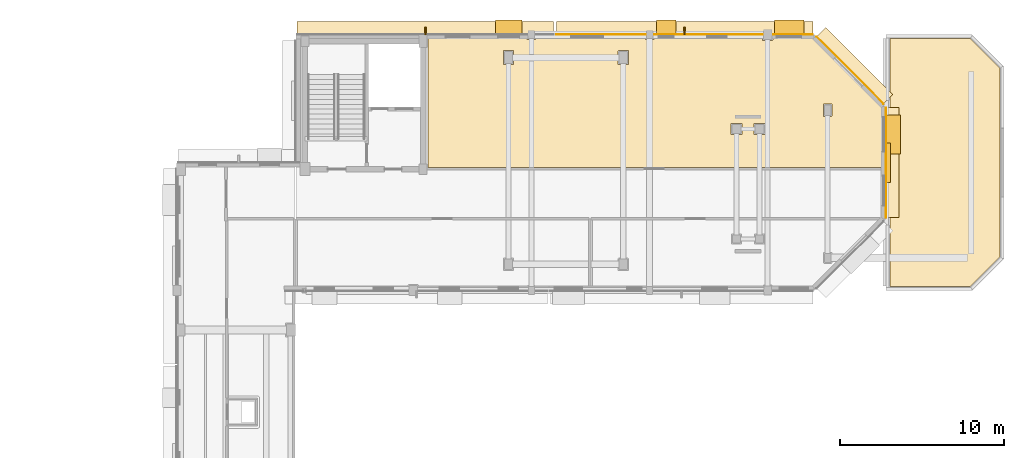
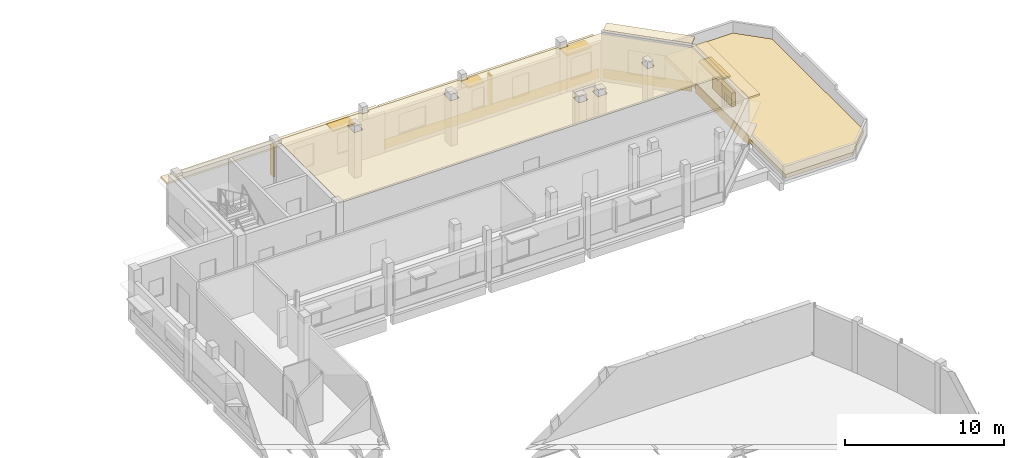
# One storey, part 105 of 105: 9 coverings, 7 shading devices.
"""IFC4 building model written with IfcOpenShell, lengths in metres."""

from ifc_helpers import new_model, si_unit, direction, frame, origin, origin_2d, place, context, subcontext, project, spatial, polyline, rectangle, outline, extrude, material, layer, layer_set, type_object, element, save


model = new_model("IFC4")

# Units and contexts
model_context = context("Model", 3, precision=1e-05, world=origin(), true_north=direction((0.0, 1.0)))
body_context = subcontext(model_context, "Body", "Model", "MODEL_VIEW")
ifc_project = project(units=[si_unit("LENGTHUNIT", "METRE"), si_unit("AREAUNIT", "SQUARE_METRE"), si_unit("VOLUMEUNIT", "CUBIC_METRE"), si_unit("PLANEANGLEUNIT", "RADIAN"), si_unit("MASSUNIT", "GRAM", prefix="KILO")], contexts=[model_context])

# Site, building, storey
site_placement = place(None, origin())
site = spatial("IfcSite", under=ifc_project, at=site_placement, CompositionType="ELEMENT")
building_placement = place(site_placement, origin())
building = spatial("IfcBuilding", under=site, at=building_placement, Name="Kelanivale Promenade Academy", CompositionType="ELEMENT")
storey_placement = place(building_placement, frame((0.0, 0.0, 4.199951171875)))
storey = spatial("IfcBuildingStorey", under=building, at=storey_placement, Name="L01", CompositionType="ELEMENT", Elevation=4.199951171875)

# Coverings
ifc_material_1 = material(Name="Warm ivory Art Deco stucco frieze band 40 mm", Category="masonry")
ifc_layer_1 = layer(ifc_material_1, 0.0400390625)
ifc_layer_set_1 = layer_set([ifc_layer_1], Name="Warm ivory Art Deco stucco frieze band 40 mm")
covering_type_1 = type_object("IfcCoveringType", Name="COV-CLD2 Warm ivory Art Deco stucco frieze ba", PredefinedType="CLADDING", material=ifc_layer_set_1)
covering_1_placement = place(storey_placement, frame((159.199951171875, 104.199951171875, 3.6201171875), z_axis=(0.0, 0.0, 1.0), x_axis=(0.0, 1.0, 0.0)))
element("IfcCovering", 1, at=covering_1_placement, inside=storey, type_object=covering_type_1, Name="Art Deco projecting 820 mm streamline sunshade eyebrow ledge", PredefinedType="CLADDING", context=body_context, shape_type="SweptSolid", body=[
    extrude(rectangle(XDim=6.701904296875, YDim=0.820068359375, at=origin_2d()), origin(), (0.0, 0.0, 1.0), 0.139892578125),
])
covering_2_placement = place(storey_placement, frame((158.81494140625, 104.199951171875, 0.06005859375), z_axis=(0.0, 0.0, 1.0), x_axis=(0.0, 1.0, 0.0)))
element("IfcCovering", 2, at=covering_2_placement, inside=storey, type_object=covering_type_1, Name="Art Deco ivory stucco sill frieze band", PredefinedType="CLADDING", context=body_context, shape_type="SweptSolid", body=[
    extrude(rectangle(XDim=6.701904296875, YDim=0.0400390625, at=origin_2d()), origin(), (0.0, 0.0, 1.0), 0.719970703125),
])
covering_3_placement = place(storey_placement, frame((156.89892578125, 110.09912109375, 3.6201171875), z_axis=(0.0, 0.0, 1.0), x_axis=(-0.707106781187, 0.707106781187, 0.0)))
element("IfcCovering", 3, at=covering_3_placement, inside=storey, type_object=covering_type_1, Name="Art Deco projecting 820 mm streamline sunshade eyebrow ledge", PredefinedType="CLADDING", context=body_context, shape_type="SweptSolid", body=[
    extrude(rectangle(XDim=5.77490234375, YDim=0.820068359375, at=origin_2d()), origin(), (0.0, 0.0, 1.0), 0.139892578125),
])
covering_4_placement = place(storey_placement, frame((156.626953125, 109.826904296875, 0.06005859375), z_axis=(0.0, 0.0, 1.0), x_axis=(-0.707106781187, 0.707106781187, 0.0)))
element("IfcCovering", 4, at=covering_4_placement, inside=storey, type_object=covering_type_1, Name="Art Deco ivory stucco sill frieze band", PredefinedType="CLADDING", context=body_context, shape_type="SweptSolid", body=[
    extrude(rectangle(XDim=5.77490234375, YDim=0.0400390625, at=origin_2d()), origin(), (0.0, 0.0, 1.0), 0.719970703125),
])
covering_5_placement = place(storey_placement, frame((146.535888671875, 112.39990234375, 2.80517578125), z_axis=(0.0, 0.0, 1.0), x_axis=(-1.0, 0.0, 0.0)))
element("IfcCovering", 5, at=covering_5_placement, inside=storey, type_object=covering_type_1, Name="Art Deco projecting 820 mm streamline sunshade eyebrow ledge", PredefinedType="CLADDING", context=body_context, shape_type="SweptSolid", body=[
    extrude(rectangle(XDim=15.6298828125, YDim=0.820068359375, at=origin_2d()), origin(), (0.0, 0.0, 1.0), 0.139892578125),
])
covering_6_placement = place(storey_placement, frame((146.535888671875, 112.014892578125, 0.06005859375), z_axis=(0.0, 0.0, 1.0), x_axis=(-1.0, 0.0, 0.0)))
element("IfcCovering", 6, at=covering_6_placement, inside=storey, type_object=covering_type_1, Name="Art Deco ivory stucco sill frieze band", PredefinedType="CLADDING", context=body_context, shape_type="SweptSolid", body=[
    extrude(rectangle(XDim=15.6298828125, YDim=0.0400390625, at=origin_2d()), origin(), (0.0, 0.0, 1.0), 0.719970703125),
])
covering_7_placement = place(storey_placement, frame((130.7451171875, 112.39990234375, 2.85498046875), z_axis=(0.0, 0.0, 1.0), x_axis=(-1.0, 0.0, 0.0)))
element("IfcCovering", 7, at=covering_7_placement, inside=storey, type_object=covering_type_1, Name="Art Deco projecting 820 mm streamline sunshade eyebrow ledge", PredefinedType="CLADDING", context=body_context, shape_type="SweptSolid", body=[
    extrude(rectangle(XDim=15.631103515625, YDim=0.820068359375, at=origin_2d()), origin(), (0.0, 0.0, 1.0), 0.139892578125),
])
ifc_material_2 = material(Name="Acoustic mineral-fibre ceiling tile 25 mm", Category="gypsum")
ifc_layer_2 = layer(ifc_material_2, 0.02490234375)
ifc_layer_set_2 = layer_set([ifc_layer_2], Name="Acoustic mineral-fibre ceiling tile 25 mm")
covering_type_2 = type_object("IfcCoveringType", Name="COV-CLG1 Acoustic mineral-fibre ceiling tile ", PredefinedType="CEILING", material=ifc_layer_set_2)
covering_8_placement = place(storey_placement, frame((0.0, 0.0, 3.550048828125)))
element("IfcCovering", 8, at=covering_8_placement, inside=storey, type_object=covering_type_2, Name="Biology Laboratory 1 acoustic suspended ceiling", PredefinedType="CEILING", context=body_context, shape_type="SweptSolid", body=[
    extrude(outline(polyline([(154.37109375, 111.85009765625), (151.909912109375, 111.85009765625), (151.909912109375, 111.679931640625), (151.909912109375, 111.676025390625), (151.908935546875, 111.672119140625), (151.907958984375, 111.66796875), (151.906982421875, 111.6650390625), (151.905029296875, 111.660888671875), (151.903076171875, 111.657958984375), (151.90087890625, 111.655029296875), (151.89794921875, 111.652099609375), (151.89501953125, 111.64892578125), (151.89208984375, 111.64697265625), (151.888916015625, 111.64501953125), (151.885009765625, 111.64306640625), (151.882080078125, 111.64208984375), (151.8779296875, 111.64111328125), (151.8740234375, 111.639892578125), (151.8701171875, 111.639892578125), (151.330078125, 111.639892578125), (151.325927734375, 111.639892578125), (151.322021484375, 111.64111328125), (151.318115234375, 111.64208984375), (151.31494140625, 111.64306640625), (151.31103515625, 111.64501953125), (151.30810546875, 111.64697265625), (151.304931640625, 111.64892578125), (151.302001953125, 111.652099609375), (151.299072265625, 111.655029296875), (151.297119140625, 111.657958984375), (151.294921875, 111.660888671875), (151.29296875, 111.6650390625), (151.2919921875, 111.66796875), (151.291015625, 111.672119140625), (151.2900390625, 111.676025390625), (151.2900390625, 111.679931640625), (151.2900390625, 111.85009765625), (144.659912109375, 111.85009765625), (144.659912109375, 111.72998046875), (144.659912109375, 111.72607421875), (144.658935546875, 111.721923828125), (144.657958984375, 111.718017578125), (144.656982421875, 111.715087890625), (144.655029296875, 111.7109375), (144.653076171875, 111.7080078125), (144.65087890625, 111.705078125), (144.64794921875, 111.701904296875), (144.64501953125, 111.698974609375), (144.64208984375, 111.697021484375), (144.638916015625, 111.695068359375), (144.635009765625, 111.693115234375), (144.632080078125, 111.69189453125), (144.6279296875, 111.69091796875), (144.6240234375, 111.68994140625), (144.6201171875, 111.68994140625), (144.179931640625, 111.68994140625), (144.176025390625, 111.68994140625), (144.172119140625, 111.69091796875), (144.16796875, 111.69189453125), (144.1650390625, 111.693115234375), (144.160888671875, 111.695068359375), (144.157958984375, 111.697021484375), (144.155029296875, 111.698974609375), (144.152099609375, 111.701904296875), (144.14892578125, 111.705078125), (144.14697265625, 111.7080078125), (144.14501953125, 111.7109375), (144.14306640625, 111.715087890625), (144.14208984375, 111.718017578125), (144.14111328125, 111.721923828125), (144.139892578125, 111.72607421875), (144.139892578125, 111.72998046875), (144.139892578125, 111.85009765625), (137.4599609375, 111.85009765625), (137.4599609375, 111.72998046875), (137.4599609375, 111.72607421875), (137.458984375, 111.721923828125), (137.4580078125, 111.718017578125), (137.45703125, 111.715087890625), (137.455078125, 111.7109375), (137.452880859375, 111.7080078125), (137.450927734375, 111.705078125), (137.447998046875, 111.701904296875), (137.445068359375, 111.698974609375), (137.44189453125, 111.697021484375), (137.43896484375, 111.695068359375), (137.43505859375, 111.693115234375), (137.431884765625, 111.69189453125), (137.427978515625, 111.69091796875), (137.424072265625, 111.68994140625), (137.419921875, 111.68994140625), (136.97998046875, 111.68994140625), (136.97607421875, 111.68994140625), (136.971923828125, 111.69091796875), (136.968017578125, 111.69189453125), (136.965087890625, 111.693115234375), (136.9609375, 111.695068359375), (136.9580078125, 111.697021484375), (136.955078125, 111.698974609375), (136.951904296875, 111.701904296875), (136.948974609375, 111.705078125), (136.947021484375, 111.7080078125), (136.945068359375, 111.7109375), (136.943115234375, 111.715087890625), (136.94189453125, 111.718017578125), (136.94091796875, 111.721923828125), (136.93994140625, 111.72607421875), (136.93994140625, 111.72998046875), (136.93994140625, 111.85009765625), (130.909912109375, 111.85009765625), (130.909912109375, 103.909912109375), (158.64990234375, 103.909912109375), (158.64990234375, 107.571044921875), (154.37109375, 111.85009765625)]), holes=[polyline([(155.469970703125, 107.784912109375), (155.47412109375, 107.784912109375), (155.47802734375, 107.783935546875), (155.48193359375, 107.782958984375), (155.485107421875, 107.781982421875), (155.489013671875, 107.780029296875), (155.491943359375, 107.778076171875), (155.4951171875, 107.77587890625), (155.498046875, 107.77294921875), (155.5009765625, 107.77001953125), (155.5029296875, 107.76708984375), (155.5048828125, 107.763916015625), (155.507080078125, 107.760009765625), (155.508056640625, 107.757080078125), (155.509033203125, 107.7529296875), (155.510009765625, 107.7490234375), (155.510009765625, 107.7451171875), (155.510009765625, 107.054931640625), (155.510009765625, 107.051025390625), (155.509033203125, 107.047119140625), (155.508056640625, 107.04296875), (155.507080078125, 107.0400390625), (155.5048828125, 107.035888671875), (155.5029296875, 107.032958984375), (155.5009765625, 107.030029296875), (155.498046875, 107.027099609375), (155.4951171875, 107.02392578125), (155.491943359375, 107.02197265625), (155.489013671875, 107.02001953125), (155.485107421875, 107.01806640625), (155.48193359375, 107.01708984375), (155.47802734375, 107.01611328125), (155.47412109375, 107.014892578125), (155.469970703125, 107.014892578125), (155.030029296875, 107.014892578125), (155.02587890625, 107.014892578125), (155.02197265625, 107.01611328125), (155.01806640625, 107.01708984375), (155.014892578125, 107.01806640625), (155.010986328125, 107.02001953125), (155.008056640625, 107.02197265625), (155.0048828125, 107.02392578125), (155.001953125, 107.027099609375), (154.9990234375, 107.030029296875), (154.9970703125, 107.032958984375), (154.9951171875, 107.035888671875), (154.992919921875, 107.0400390625), (154.991943359375, 107.04296875), (154.990966796875, 107.047119140625), (154.989990234375, 107.051025390625), (154.989990234375, 107.054931640625), (154.989990234375, 107.7451171875), (154.989990234375, 107.7490234375), (154.990966796875, 107.7529296875), (154.991943359375, 107.757080078125), (154.992919921875, 107.760009765625), (154.9951171875, 107.763916015625), (154.9970703125, 107.76708984375), (154.9990234375, 107.77001953125), (155.001953125, 107.77294921875), (155.0048828125, 107.77587890625), (155.008056640625, 107.778076171875), (155.010986328125, 107.780029296875), (155.014892578125, 107.781982421875), (155.01806640625, 107.782958984375), (155.02197265625, 107.783935546875), (155.02587890625, 107.784912109375), (155.030029296875, 107.784912109375), (155.469970703125, 107.784912109375)]), polyline([(151.43505859375, 105.955078125), (151.43505859375, 105.950927734375), (151.43408203125, 105.947021484375), (151.43310546875, 105.943115234375), (151.431884765625, 105.93994140625), (151.429931640625, 105.93603515625), (151.427978515625, 105.93310546875), (151.426025390625, 105.929931640625), (151.423095703125, 105.927001953125), (151.419921875, 105.924072265625), (151.4169921875, 105.922119140625), (151.4140625, 105.919921875), (151.409912109375, 105.91796875), (151.406982421875, 105.9169921875), (151.403076171875, 105.916015625), (151.39892578125, 105.9150390625), (151.39501953125, 105.9150390625), (150.804931640625, 105.9150390625), (150.801025390625, 105.9150390625), (150.797119140625, 105.916015625), (150.79296875, 105.9169921875), (150.7900390625, 105.91796875), (150.785888671875, 105.919921875), (150.782958984375, 105.922119140625), (150.780029296875, 105.924072265625), (150.777099609375, 105.927001953125), (150.77392578125, 105.929931640625), (150.77197265625, 105.93310546875), (150.77001953125, 105.93603515625), (150.76806640625, 105.93994140625), (150.76708984375, 105.943115234375), (150.76611328125, 105.947021484375), (150.764892578125, 105.950927734375), (150.764892578125, 105.955078125), (150.764892578125, 106.544921875), (150.764892578125, 106.549072265625), (150.76611328125, 106.552978515625), (150.76708984375, 106.556884765625), (150.76806640625, 106.56005859375), (150.77001953125, 106.56396484375), (150.77197265625, 106.56689453125), (150.77392578125, 106.570068359375), (150.777099609375, 106.572998046875), (150.780029296875, 106.575927734375), (150.782958984375, 106.577880859375), (150.785888671875, 106.580078125), (150.7900390625, 106.58203125), (150.79296875, 106.5830078125), (150.797119140625, 106.583984375), (150.801025390625, 106.5849609375), (150.804931640625, 106.5849609375), (151.39501953125, 106.5849609375), (151.39892578125, 106.5849609375), (151.403076171875, 106.583984375), (151.406982421875, 106.5830078125), (151.409912109375, 106.58203125), (151.4140625, 106.580078125), (151.4169921875, 106.577880859375), (151.419921875, 106.575927734375), (151.423095703125, 106.572998046875), (151.426025390625, 106.570068359375), (151.427978515625, 106.56689453125), (151.429931640625, 106.56396484375), (151.431884765625, 106.56005859375), (151.43310546875, 106.556884765625), (151.43408203125, 106.552978515625), (151.43505859375, 106.549072265625), (151.43505859375, 106.544921875), (151.43505859375, 105.955078125)]), polyline([(150.034912109375, 105.955078125), (150.034912109375, 105.950927734375), (150.033935546875, 105.947021484375), (150.032958984375, 105.943115234375), (150.031982421875, 105.93994140625), (150.030029296875, 105.93603515625), (150.028076171875, 105.93310546875), (150.02587890625, 105.929931640625), (150.02294921875, 105.927001953125), (150.02001953125, 105.924072265625), (150.01708984375, 105.922119140625), (150.013916015625, 105.919921875), (150.010009765625, 105.91796875), (150.007080078125, 105.9169921875), (150.0029296875, 105.916015625), (149.9990234375, 105.9150390625), (149.9951171875, 105.9150390625), (149.405029296875, 105.9150390625), (149.40087890625, 105.9150390625), (149.39697265625, 105.916015625), (149.39306640625, 105.9169921875), (149.389892578125, 105.91796875), (149.385986328125, 105.919921875), (149.383056640625, 105.922119140625), (149.3798828125, 105.924072265625), (149.376953125, 105.927001953125), (149.3740234375, 105.929931640625), (149.3720703125, 105.93310546875), (149.3701171875, 105.93603515625), (149.367919921875, 105.93994140625), (149.366943359375, 105.943115234375), (149.365966796875, 105.947021484375), (149.364990234375, 105.950927734375), (149.364990234375, 105.955078125), (149.364990234375, 106.544921875), (149.364990234375, 106.549072265625), (149.365966796875, 106.552978515625), (149.366943359375, 106.556884765625), (149.367919921875, 106.56005859375), (149.3701171875, 106.56396484375), (149.3720703125, 106.56689453125), (149.3740234375, 106.570068359375), (149.376953125, 106.572998046875), (149.3798828125, 106.575927734375), (149.383056640625, 106.577880859375), (149.385986328125, 106.580078125), (149.389892578125, 106.58203125), (149.39306640625, 106.5830078125), (149.39697265625, 106.583984375), (149.40087890625, 106.5849609375), (149.405029296875, 106.5849609375), (149.9951171875, 106.5849609375), (149.9990234375, 106.5849609375), (150.0029296875, 106.583984375), (150.007080078125, 106.5830078125), (150.010009765625, 106.58203125), (150.013916015625, 106.580078125), (150.01708984375, 106.577880859375), (150.02001953125, 106.575927734375), (150.02294921875, 106.572998046875), (150.02587890625, 106.570068359375), (150.028076171875, 106.56689453125), (150.030029296875, 106.56396484375), (150.031982421875, 106.56005859375), (150.032958984375, 106.556884765625), (150.033935546875, 106.552978515625), (150.034912109375, 106.549072265625), (150.034912109375, 106.544921875), (150.034912109375, 105.955078125)]), polyline([(143.110107421875, 110.205078125), (143.110107421875, 110.200927734375), (143.10888671875, 110.197021484375), (143.10791015625, 110.193115234375), (143.10693359375, 110.18994140625), (143.10498046875, 110.18603515625), (143.10302734375, 110.18310546875), (143.10107421875, 110.179931640625), (143.097900390625, 110.177001953125), (143.094970703125, 110.174072265625), (143.092041015625, 110.172119140625), (143.089111328125, 110.169921875), (143.0849609375, 110.16796875), (143.08203125, 110.1669921875), (143.077880859375, 110.166015625), (143.073974609375, 110.1650390625), (143.070068359375, 110.1650390625), (142.530029296875, 110.1650390625), (142.52587890625, 110.1650390625), (142.52197265625, 110.166015625), (142.51806640625, 110.1669921875), (142.514892578125, 110.16796875), (142.510986328125, 110.169921875), (142.508056640625, 110.172119140625), (142.5048828125, 110.174072265625), (142.501953125, 110.177001953125), (142.4990234375, 110.179931640625), (142.4970703125, 110.18310546875), (142.4951171875, 110.18603515625), (142.492919921875, 110.18994140625), (142.491943359375, 110.193115234375), (142.490966796875, 110.197021484375), (142.489990234375, 110.200927734375), (142.489990234375, 110.205078125), (142.489990234375, 110.9951171875), (142.489990234375, 110.9990234375), (142.490966796875, 111.0029296875), (142.491943359375, 111.007080078125), (142.492919921875, 111.010009765625), (142.4951171875, 111.013916015625), (142.4970703125, 111.01708984375), (142.4990234375, 111.02001953125), (142.501953125, 111.02294921875), (142.5048828125, 111.02587890625), (142.508056640625, 111.028076171875), (142.510986328125, 111.030029296875), (142.514892578125, 111.031982421875), (142.51806640625, 111.032958984375), (142.52197265625, 111.033935546875), (142.52587890625, 111.034912109375), (142.530029296875, 111.034912109375), (143.070068359375, 111.034912109375), (143.073974609375, 111.034912109375), (143.077880859375, 111.033935546875), (143.08203125, 111.032958984375), (143.0849609375, 111.031982421875), (143.089111328125, 111.030029296875), (143.092041015625, 111.028076171875), (143.094970703125, 111.02587890625), (143.097900390625, 111.02294921875), (143.10107421875, 111.02001953125), (143.10302734375, 111.01708984375), (143.10498046875, 111.013916015625), (143.10693359375, 111.010009765625), (143.10791015625, 111.007080078125), (143.10888671875, 111.0029296875), (143.110107421875, 110.9990234375), (143.110107421875, 110.9951171875), (143.110107421875, 110.205078125)]), polyline([(136.110107421875, 110.205078125), (136.110107421875, 110.200927734375), (136.10888671875, 110.197021484375), (136.10791015625, 110.193115234375), (136.10693359375, 110.18994140625), (136.10498046875, 110.18603515625), (136.10302734375, 110.18310546875), (136.10107421875, 110.179931640625), (136.097900390625, 110.177001953125), (136.094970703125, 110.174072265625), (136.092041015625, 110.172119140625), (136.089111328125, 110.169921875), (136.0849609375, 110.16796875), (136.08203125, 110.1669921875), (136.077880859375, 110.166015625), (136.073974609375, 110.1650390625), (136.070068359375, 110.1650390625), (135.530029296875, 110.1650390625), (135.52587890625, 110.1650390625), (135.52197265625, 110.166015625), (135.51806640625, 110.1669921875), (135.514892578125, 110.16796875), (135.510986328125, 110.169921875), (135.508056640625, 110.172119140625), (135.5048828125, 110.174072265625), (135.501953125, 110.177001953125), (135.4990234375, 110.179931640625), (135.4970703125, 110.18310546875), (135.4951171875, 110.18603515625), (135.492919921875, 110.18994140625), (135.491943359375, 110.193115234375), (135.490966796875, 110.197021484375), (135.489990234375, 110.200927734375), (135.489990234375, 110.205078125), (135.489990234375, 110.9951171875), (135.489990234375, 110.9990234375), (135.490966796875, 111.0029296875), (135.491943359375, 111.007080078125), (135.492919921875, 111.010009765625), (135.4951171875, 111.013916015625), (135.4970703125, 111.01708984375), (135.4990234375, 111.02001953125), (135.501953125, 111.02294921875), (135.5048828125, 111.02587890625), (135.508056640625, 111.028076171875), (135.510986328125, 111.030029296875), (135.514892578125, 111.031982421875), (135.51806640625, 111.032958984375), (135.52197265625, 111.033935546875), (135.52587890625, 111.034912109375), (135.530029296875, 111.034912109375), (136.070068359375, 111.034912109375), (136.073974609375, 111.034912109375), (136.077880859375, 111.033935546875), (136.08203125, 111.032958984375), (136.0849609375, 111.031982421875), (136.089111328125, 111.030029296875), (136.092041015625, 111.028076171875), (136.094970703125, 111.02587890625), (136.097900390625, 111.02294921875), (136.10107421875, 111.02001953125), (136.10302734375, 111.01708984375), (136.10498046875, 111.013916015625), (136.10693359375, 111.010009765625), (136.10791015625, 111.007080078125), (136.10888671875, 111.0029296875), (136.110107421875, 110.9990234375), (136.110107421875, 110.9951171875), (136.110107421875, 110.205078125)])]), origin(), (0.0, 0.0, 1.0), 0.02490234375),
])
ifc_material_3 = material(Name="Extensive tropical planted green-roof substrate 300 mm", Category="masonry")
ifc_layer_3 = layer(ifc_material_3, 0.300048828125)
ifc_layer_set_3 = layer_set([ifc_layer_3], Name="Extensive tropical planted green-roof substrate 300 mm")
covering_type_3 = type_object("IfcCoveringType", Name="COV-RFG2 Extensive tropical planted green-roo", PredefinedType="ROOFING", material=ifc_layer_set_3)
covering_9_placement = place(storey_placement, origin())
element("IfcCovering", 9, at=covering_9_placement, inside=storey, type_object=covering_type_3, Name="L01 planted green-roof substrate", PredefinedType="ROOFING", context=body_context, shape_type="SweptSolid", body=[
    extrude(outline(polyline([(163.947021484375, 96.639892578125), (165.760009765625, 98.452880859375), (165.760009765625, 109.947021484375), (163.947021484375, 111.760009765625), (159.0400390625, 111.760009765625), (159.0400390625, 96.639892578125), (163.947021484375, 96.639892578125)])), origin(), (0.0, 0.0, 1.0), 0.300048828125),
])

# Shading devices
ifc_material_4 = material(Name="Precast concrete C40/50", Category="concrete")
ifc_layer_4 = layer(ifc_material_4, 0.1201171875)
ifc_layer_set_4 = layer_set([ifc_layer_4], Name="Precast concrete C40/50")
shading_device_type_1 = type_object("IfcShadingDeviceType", Name="SHD-01 Art Deco Sunshade Eyebrow 900mm", PredefinedType="USERDEFINED", material=ifc_layer_set_4)
shading_device_1_placement = place(storey_placement, frame((159.239990234375, 105.9150390625, 2.659912109375), z_axis=(0.0, 0.0, 1.0), x_axis=(0.0, 1.0, 0.0)))
element("IfcShadingDevice", 10, at=shading_device_1_placement, inside=storey, type_object=shading_device_type_1, Name="Art Deco 900 mm precast chajja window sunshade", ObjectType="SUNSHADE", PredefinedType="USERDEFINED", context=body_context, shape_type="SweptSolid", body=[
    extrude(rectangle(XDim=2.39990234375, YDim=0.89990234375, at=origin_2d()), origin(), (0.0, 0.0, 1.0), 0.1201171875),
])
shading_device_2_placement = place(storey_placement, frame((152.906982421875, 112.43994140625, 2.510009765625), z_axis=(0.0, 0.0, 1.0), x_axis=(-1.0, 0.0, 0.0)))
element("IfcShadingDevice", 11, at=shading_device_2_placement, inside=storey, type_object=shading_device_type_1, Name="Art Deco 900 mm precast chajja window sunshade", ObjectType="SUNSHADE", PredefinedType="USERDEFINED", context=body_context, shape_type="SweptSolid", body=[
    extrude(rectangle(XDim=1.800048828125, YDim=0.89990234375, at=origin_2d()), origin(), (0.0, 0.0, 1.0), 0.1201171875),
])
shading_device_3_placement = place(storey_placement, frame((145.412109375, 112.43994140625, 2.56005859375), z_axis=(0.0, 0.0, 1.0), x_axis=(-1.0, 0.0, 0.0)))
element("IfcShadingDevice", 12, at=shading_device_3_placement, inside=storey, type_object=shading_device_type_1, Name="Art Deco 900 mm precast chajja window sunshade", ObjectType="SUNSHADE", PredefinedType="USERDEFINED", context=body_context, shape_type="SweptSolid", body=[
    extrude(rectangle(XDim=1.199951171875, YDim=0.89990234375, at=origin_2d()), origin(), (0.0, 0.0, 1.0), 0.1201171875),
])
shading_device_4_placement = place(storey_placement, frame((135.81689453125, 112.43994140625, 2.659912109375), z_axis=(0.0, 0.0, 1.0), x_axis=(-1.0, 0.0, 0.0)))
element("IfcShadingDevice", 13, at=shading_device_4_placement, inside=storey, type_object=shading_device_type_1, Name="Art Deco 900 mm precast chajja window sunshade", ObjectType="SUNSHADE", PredefinedType="USERDEFINED", context=body_context, shape_type="SweptSolid", body=[
    extrude(rectangle(XDim=1.60009765625, YDim=0.89990234375, at=origin_2d()), origin(), (0.0, 0.0, 1.0), 0.1201171875),
])
ifc_material_5 = material(Name="Bronze anodised aluminium EN AW-6063 T6", Category="aluminium")
ifc_layer_5 = layer(ifc_material_5, 0.080078125)
ifc_layer_set_5 = layer_set([ifc_layer_5], Name="Bronze anodised aluminium EN AW-6063 T6")
shading_device_type_2 = type_object("IfcShadingDeviceType", Name="SHD-02 Perforated Brise-Soleil Screen", PredefinedType="JALOUSIE", material=ifc_layer_set_5)
shading_device_5_placement = place(storey_placement, frame((158.93505859375, 104.199951171875, 1.72509765625), z_axis=(0.0, 0.0, 1.0), x_axis=(0.0, 1.0, 0.0)))
element("IfcShadingDevice", 14, at=shading_device_5_placement, inside=storey, type_object=shading_device_type_2, Name="Perforated Art Deco brise-soleil louvre screen", PredefinedType="JALOUSIE", context=body_context, shape_type="SweptSolid", body=[
    extrude(rectangle(XDim=2.39990234375, YDim=0.280029296875, at=origin_2d()), origin(), (0.0, 0.0, 1.0), 1.050048828125),
])
ifc_layer_6 = layer(ifc_material_5, 0.10009765625)
ifc_layer_set_6 = layer_set([ifc_layer_6], Name="Bronze anodised aluminium EN AW-6063 T6")
shading_device_type_3 = type_object("IfcShadingDeviceType", Name="SHD-03 Vertical Fluted Solar Fin", PredefinedType="USERDEFINED", material=ifc_layer_set_6)
for number, where, z_axis, x_axis, name in (
    (15, (146.535888671875, 112.219970703125, 0.7001953125), (0.0, 0.0, 1.0), (-1.0, 0.0, 0.0), "Vertical fluted Art Deco solar fin"),
    (16, (130.7451171875, 112.219970703125, 0.7001953125), (0.0, 0.0, 1.0), (-1.0, 0.0, 0.0), "Vertical fluted Art Deco solar fin"),
):
    element("IfcShadingDevice", number, at=place(storey_placement, frame(where, z_axis=z_axis, x_axis=x_axis)), inside=storey, type_object=shading_device_type_3, Name=name, ObjectType="SOLAR FIN", PredefinedType="USERDEFINED", context=body_context, shape_type="SweptSolid", body=[
        extrude(rectangle(XDim=0.10009765625, YDim=0.449951171875, at=origin_2d()), origin(), (0.0, 0.0, 1.0), 2.300048828125),
    ])

save(model, "model.ifc")
